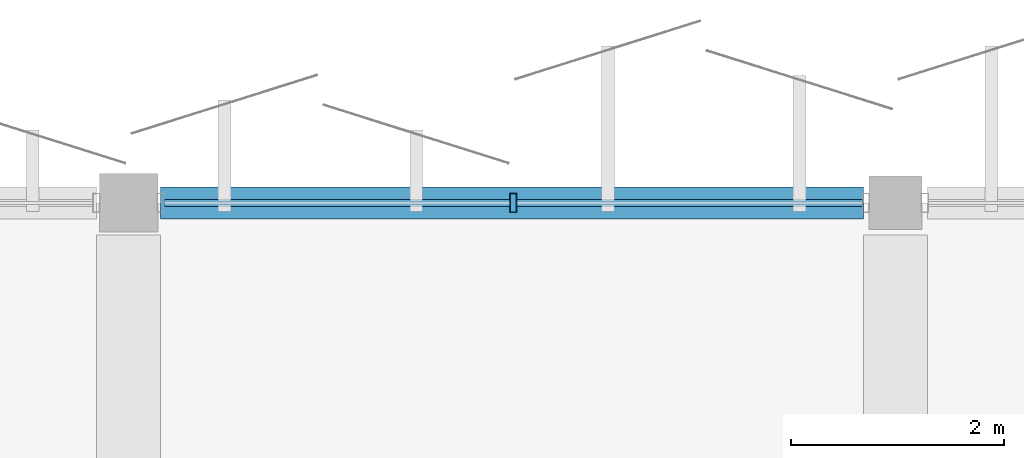
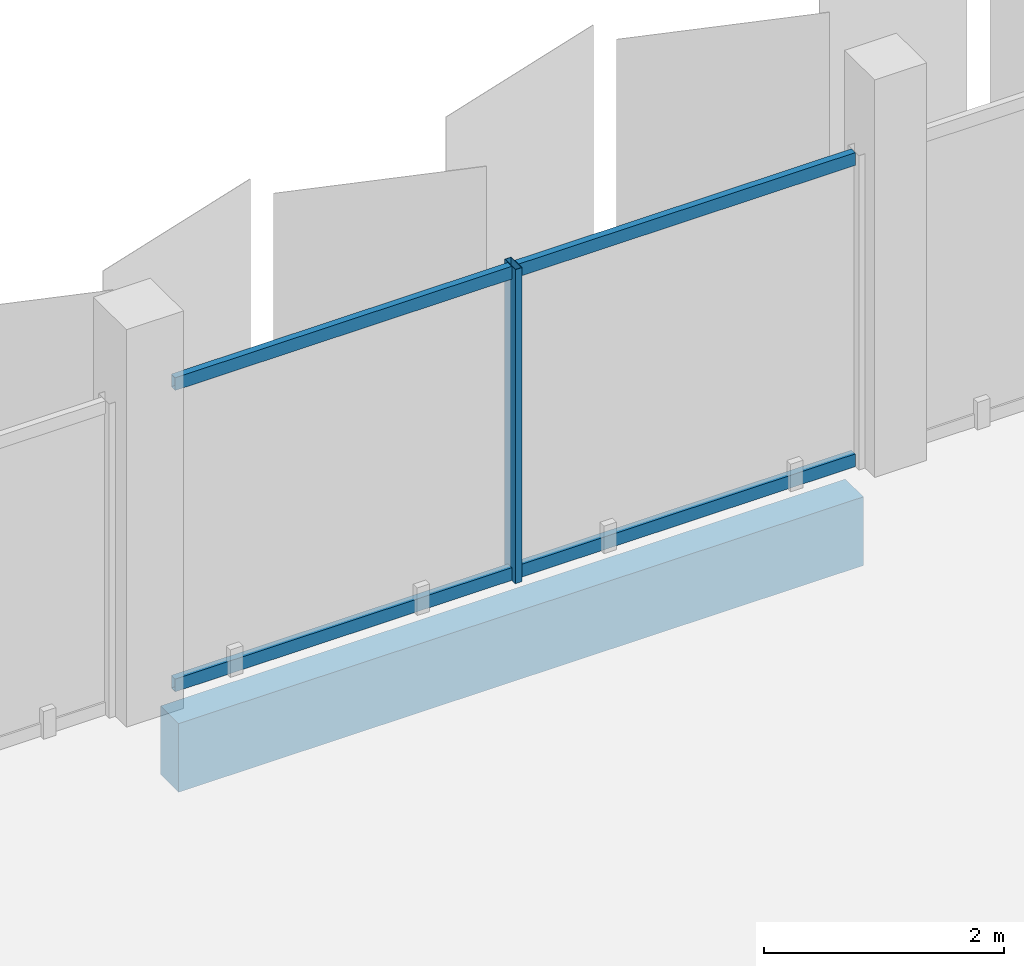
# One storey, part 39 of 107: 5 members, 1 beam, 1 element without a shape of its own.
"""IFC4 building model written with IfcOpenShell, lengths in metres."""

from ifc_helpers import new_model, si_unit, direction, frame, origin, origin_2d, place, context, subcontext, project, spatial, rectangle, hollow_rectangle, extrude, material, layer, layer_set, material_profile, profile_set, type_object, element, aggregate, save


model = new_model("IFC4")

# Units and contexts
model_context = context("Model", 3, precision=1e-05, world=origin(), true_north=direction((0.0, 1.0)))
body_context = subcontext(model_context, "Body", "Model", "MODEL_VIEW")
ifc_project = project(units=[si_unit("LENGTHUNIT", "METRE"), si_unit("AREAUNIT", "SQUARE_METRE"), si_unit("VOLUMEUNIT", "CUBIC_METRE"), si_unit("PLANEANGLEUNIT", "RADIAN"), si_unit("MASSUNIT", "GRAM", prefix="KILO")], contexts=[model_context])

# Site, building, storey
site_placement = place(None, origin())
site = spatial("IfcSite", under=ifc_project, at=site_placement, CompositionType="ELEMENT")
building_placement = place(site_placement, origin())
building = spatial("IfcBuilding", under=site, at=building_placement, Name="Kangsadwip Square Police Headquarters", CompositionType="ELEMENT")
storey_placement = place(building_placement, frame((0.0, 0.0, 5.39990234375)))
storey = spatial("IfcBuildingStorey", under=building, at=storey_placement, Name="L01", CompositionType="ELEMENT", Elevation=5.39990234375)

# Curtain wall, members
ifc_material_1 = material(Name="Thermally broken anodised aluminium AW-6063-T6", Category="aluminium")
ifc_layer = layer(ifc_material_1, 0.159912109375)
ifc_layer_set = layer_set([ifc_layer], Name="Thermally broken anodised aluminium AW-6063-T6")
curtain_wall_type = type_object("IfcCurtainWallType", Name="UnitisedCw6685x3200", PredefinedType="NOTDEFINED", material=ifc_layer_set)
curtain_wall_placement = place(storey_placement, origin())
curtain_wall = element("IfcCurtainWall", 1, at=curtain_wall_placement, inside=storey, type_object=curtain_wall_type, Name="Curtain Wall CW-L01-0579-1152", PredefinedType="NOTDEFINED")
ifc_material_2 = material(Name="Thermally broken anodised aluminium AW-6063-T6", Category="aluminium")
ifc_material_profile_1 = material_profile(ifc_material_2, hollow_rectangle(XDim=0.06494140625, YDim=0.179931640625, WallThickness=0.00390625, at=origin_2d()), Name="CWM 180X65X4")
ifc_profile_set_1 = profile_set([ifc_material_profile_1], Name="Thermally broken anodised aluminium AW-6063-T6")
member_type_1 = type_object("IfcMemberType", Name="CwMullion160x65", PredefinedType="MULLION", material=ifc_profile_set_1)
member_1_placement = place(storey_placement, frame((61.21240234375, 115.199951171875, 0.0), z_axis=(0.0, 0.0, 1.0), x_axis=(1.0, 0.0, 0.0)))
member_1 = element("IfcMember", 2, at=member_1_placement, type_object=member_type_1, Name="CW-23 mullion 2", PredefinedType="MULLION", context=body_context, shape_type="SweptSolid", body=[
    extrude(hollow_rectangle(XDim=0.06494140625, YDim=0.179931640625, WallThickness=0.00390625, at=origin_2d()), origin(), (0.0, 0.0, 1.0), 3.2001953125),
])
ifc_material_3 = material(Name="Thermally broken anodised aluminium AW-6063-T6", Category="aluminium")
ifc_material_profile_2 = material_profile(ifc_material_3, hollow_rectangle(XDim=0.06494140625, YDim=0.1298828125, WallThickness=0.00390625, at=origin_2d()), Name="CWT 130X65X4")
ifc_profile_set_2 = profile_set([ifc_material_profile_2], Name="Thermally broken anodised aluminium AW-6063-T6")
member_type_2 = type_object("IfcMemberType", Name="CwTransom140x60", PredefinedType="USERDEFINED", material=ifc_profile_set_2)
member_2_placement = place(storey_placement, frame((57.93505859375, 115.199951171875, 0.065185546875), z_axis=(1.0, 0.0, 0.0), x_axis=(0.0, 1.0, 0.0)))
member_2 = element("IfcMember", 3, at=member_2_placement, type_object=member_type_2, Name="CW-23 transom 1.1", ObjectType="TRANSOM", PredefinedType="USERDEFINED", context=body_context, shape_type="SweptSolid", body=[
    extrude(hollow_rectangle(XDim=0.06494140625, YDim=0.1298828125, WallThickness=0.00390625, at=origin_2d()), origin(), (0.0, 0.0, 1.0), 3.244873046875),
])
member_3_placement = place(storey_placement, frame((57.93505859375, 115.199951171875, 3.135009765625), z_axis=(1.0, 0.0, 0.0), x_axis=(0.0, 1.0, 0.0)))
member_3 = element("IfcMember", 4, at=member_3_placement, type_object=member_type_2, Name="CW-23 transom 1.2", ObjectType="TRANSOM", PredefinedType="USERDEFINED", context=body_context, shape_type="SweptSolid", body=[
    extrude(hollow_rectangle(XDim=0.06494140625, YDim=0.1298828125, WallThickness=0.00390625, at=origin_2d()), origin(), (0.0, 0.0, 1.0), 3.244873046875),
])
member_4_placement = place(storey_placement, frame((61.2451171875, 115.199951171875, 0.065185546875), z_axis=(1.0, 0.0, 0.0), x_axis=(0.0, 1.0, 0.0)))
member_4 = element("IfcMember", 5, at=member_4_placement, type_object=member_type_2, Name="CW-23 transom 2.1", ObjectType="TRANSOM", PredefinedType="USERDEFINED", context=body_context, shape_type="SweptSolid", body=[
    extrude(hollow_rectangle(XDim=0.06494140625, YDim=0.1298828125, WallThickness=0.00390625, at=origin_2d()), origin(), (0.0, 0.0, 1.0), 3.244873046875),
])
member_5_placement = place(storey_placement, frame((61.2451171875, 115.199951171875, 3.135009765625), z_axis=(1.0, 0.0, 0.0), x_axis=(0.0, 1.0, 0.0)))
member_5 = element("IfcMember", 6, at=member_5_placement, type_object=member_type_2, Name="CW-23 transom 2.2", ObjectType="TRANSOM", PredefinedType="USERDEFINED", context=body_context, shape_type="SweptSolid", body=[
    extrude(hollow_rectangle(XDim=0.06494140625, YDim=0.1298828125, WallThickness=0.00390625, at=origin_2d()), origin(), (0.0, 0.0, 1.0), 3.244873046875),
])
aggregate(curtain_wall, [member_1, member_2, member_3, member_4, member_5])

# Beam
ifc_material_4 = material(Name="Concrete M40 (40 MPa)", Category="concrete")
ifc_material_profile_3 = material_profile(ifc_material_4, rectangle(XDim=0.300048828125, YDim=0.699951171875, at=origin_2d()), Name="RC SPN 700X300")
ifc_profile_set_3 = profile_set([ifc_material_profile_3], Name="Concrete M40 (40 MPa)")
beam_type = type_object("IfcBeamType", Name="RcSpandrel700x300", PredefinedType="SPANDREL", material=ifc_profile_set_3)
beam_placement = place(storey_placement, frame((57.89990234375, 115.199951171875, -0.58984375), z_axis=(1.0, 0.0, 0.0), x_axis=(0.0, 1.0, 0.0)))
element("IfcBeam", 7, at=beam_placement, inside=storey, type_object=beam_type, Name="Beam BM-L01-X-08-16", PredefinedType="SPANDREL", context=body_context, shape_type="SweptSolid", body=[
    extrude(rectangle(XDim=0.300048828125, YDim=0.699951171875, at=origin_2d()), origin(), (0.0, 0.0, 1.0), 6.60009765625),
])

save(model, "model.ifc")
